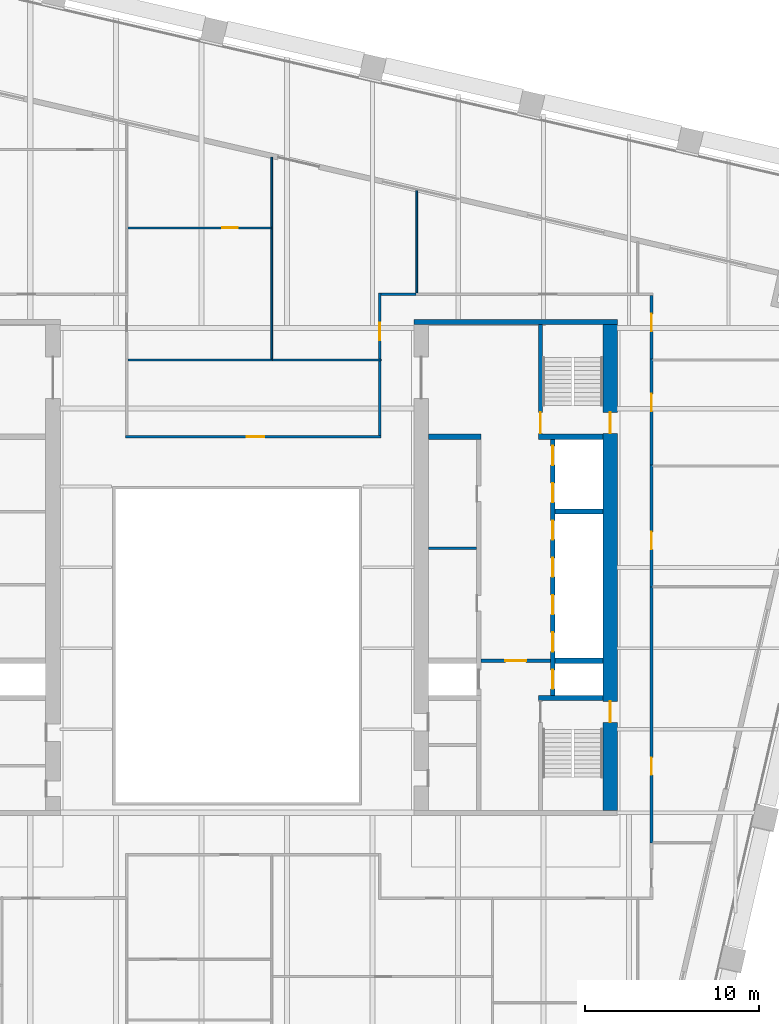
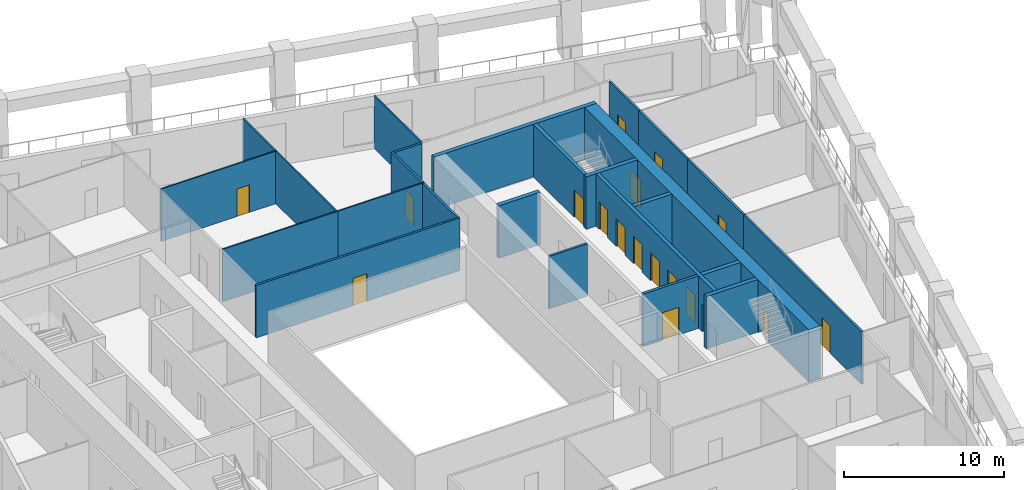
# One storey, part 8 of 12: 25 walls, 18 doors, 18 openings.
"""IFC4 building model written with IfcOpenShell, lengths in metres."""

from ifc_helpers import new_model, si_unit, direction, frame, frame_2d, origin, place, context, subcontext, project, spatial, rectangle, extrude, material, layer, layer_set, type_object, element, fill, save


model = new_model("IFC4")

# Units and contexts
model_context = context("Model", 3, precision=1e-05, world=origin(), true_north=direction((0.0, 1.0)))
body_context = subcontext(model_context, "Body", "Model", "MODEL_VIEW")
ifc_project = project(units=[si_unit("LENGTHUNIT", "METRE"), si_unit("AREAUNIT", "SQUARE_METRE"), si_unit("VOLUMEUNIT", "CUBIC_METRE"), si_unit("PLANEANGLEUNIT", "RADIAN"), si_unit("MASSUNIT", "GRAM", prefix="KILO")], contexts=[model_context])

# Site, building, storey
site_placement = place(None, origin())
site = spatial("IfcSite", under=ifc_project, at=site_placement, CompositionType="ELEMENT")
building_placement = place(site_placement, origin())
building = spatial("IfcBuilding", under=site, at=building_placement, Name="Ogive Exchange Tower", CompositionType="ELEMENT")
storey_placement = place(building_placement, frame((0.0, 0.0, 139.199951171875)))
storey = spatial("IfcBuildingStorey", under=building, at=storey_placement, Name="L30", CompositionType="ELEMENT", Elevation=139.199951171875)

# Walls
ifc_material_1 = material(Name="Gypsum board partition")
ifc_layer_1 = layer(ifc_material_1, 0.14990234375)
ifc_layer_set_1 = layer_set([ifc_layer_1], Name="Core room partition 150 gypsum")
wall_type_1 = type_object("IfcWallType", Name="Core room partition 150 gypsum", PredefinedType="PARTITIONING", material=ifc_layer_set_1)
wall_1_placement = place(storey_placement, frame((11.0, 12.60009765625, 0.0), z_axis=(0.0, 0.0, 1.0), x_axis=(1.0, 0.0, 0.0)))
element("IfcWall", 1, at=wall_1_placement, inside=storey, type_object=wall_type_1, Name="E row B bay partition 1-1", PredefinedType="PARTITIONING", context=body_context, shape_type="SweptSolid", body=[
    extrude(rectangle(XDim=2.75, YDim=0.14990234375, at=frame_2d((1.375, 0.0))), origin(), (0.0, 0.0, 1.0), 4.0),
])
ifc_layer_2 = layer(ifc_material_1, 0.300048828125)
ifc_layer_set_2 = layer_set([ifc_layer_2], Name="Core room partition 300 gypsum")
wall_type_2 = type_object("IfcWallType", Name="Core room partition 300 gypsum", PredefinedType="PARTITIONING", material=ifc_layer_set_2)
wall_2_placement = place(storey_placement, frame((11.0, 19.0, 0.0), z_axis=(0.0, 0.0, 1.0), x_axis=(1.0, 0.0, 0.0)))
element("IfcWall", 2, at=wall_2_placement, inside=storey, type_object=wall_type_2, Name="E row B room end wall 7", PredefinedType="PARTITIONING", context=body_context, shape_type="SweptSolid", body=[
    extrude(rectangle(XDim=3.0, YDim=0.300048828125, at=frame_2d((1.5, 0.0))), origin(), (0.0, 0.0, 1.0), 4.0),
])

# Wall, opening, door
ifc_material_2 = material(Name="Fire partition EI 60 150")
ifc_layer_3 = layer(ifc_material_2, 0.14990234375)
ifc_layer_set_3 = layer_set([ifc_layer_3], Name="Fire partition EI 60 150")
wall_type_3 = type_object("IfcWallType", Name="Fire partition EI 60 150", PredefinedType="PARTITIONING", material=ifc_layer_set_3)
wall_3_placement = place(storey_placement, frame((-6.4150390625, 19.0, 0.0), z_axis=(0.0, 0.0, 1.0), x_axis=(1.0, 0.0, 0.0)))
wall_3 = element("IfcWall", 3, at=wall_3_placement, inside=storey, type_object=wall_type_3, Name="L30-PWL-043", PredefinedType="PARTITIONING", context=body_context, shape_type="SweptSolid", body=[
    extrude(rectangle(XDim=14.68994140625, YDim=0.14990234375, at=frame_2d((7.344970703125, 0.0))), origin(), (0.0, 0.0, 1.0), 4.0),
])
opening_1_placement = place(wall_3_placement, frame((6.965087890625, 0.0, 0.0)))
opening_1 = element("IfcOpeningElement", 4, at=opening_1_placement, cuts=wall_3, Name="Opening L30-I10", PredefinedType="OPENING", context=body_context, shape_type="SweptSolid", body=[
    extrude(rectangle(XDim=1.0, YDim=2.10009765625, at=frame_2d((0.5, 1.050048828125))), frame((0.0, 0.0849609375, 0.0), z_axis=(0.0, -1.0, 0.0), x_axis=(1.0, 0.0, 0.0)), (0.0, 0.0, 1.0), 0.169921875),
])
ifc_material_3 = material(Name="Fire door FD 30S 1000 x 2100")
door_type_1 = type_object("IfcDoorType", Name="Fire door FD 30S 1000 x 2100", OperationType="NOTDEFINED", PredefinedType="DOOR", material=ifc_material_3)
door_1_placement = place(opening_1_placement, origin())
door_1 = element("IfcDoor", 5, at=door_1_placement, inside=storey, type_object=door_type_1, Name="L30-IDR-010", ObjectType="DT3", OperationType="SINGLE_SWING_RIGHT", OverallHeight=2.10009765625, OverallWidth=1.0, PredefinedType="DOOR", context=body_context, shape_type="SweptSolid", body=[
    extrude(rectangle(XDim=1.0, YDim=2.10009765625, at=frame_2d((0.5, 1.050048828125))), frame((0.0, 0.02490234375, 0.0), z_axis=(0.0, -1.0, 0.0), x_axis=(1.0, 0.0, 0.0)), (0.0, 0.0, 1.0), 0.050048828125),
])
fill(opening_1, door_1)

# Wall
wall_4_placement = place(storey_placement, frame((8.199951171875, 19.074951171875, 0.0), z_axis=(0.0, 0.0, 1.0), x_axis=(0.0, 1.0, 0.0)))
element("IfcWall", 6, at=wall_4_placement, inside=storey, type_object=wall_type_3, Name="L30-PWL-063", PredefinedType="PARTITIONING", context=body_context, shape_type="SweptSolid", body=[
    extrude(rectangle(XDim=4.28515625, YDim=0.14990234375, at=frame_2d((2.142578125, 0.0))), origin(), (0.0, 0.0, 1.0), 4.0),
])

# Wall, opening, door
wall_5_placement = place(storey_placement, frame((8.199951171875, 23.4599609375, 0.0), z_axis=(0.0, 0.0, 1.0), x_axis=(0.0, 1.0, 0.0)))
wall_5 = element("IfcWall", 7, at=wall_5_placement, inside=storey, type_object=wall_type_3, Name="L30-PWL-064", PredefinedType="PARTITIONING", context=body_context, shape_type="SweptSolid", body=[
    extrude(rectangle(XDim=3.81494140625, YDim=0.14990234375, at=frame_2d((1.907470703125, 0.0))), origin(), (0.0, 0.0, 1.0), 4.0),
])
opening_2_placement = place(wall_5_placement, frame((1.090087890625, 0.0, 0.0)))
opening_2 = element("IfcOpeningElement", 8, at=opening_2_placement, cuts=wall_5, Name="Opening L30-I15", PredefinedType="OPENING", context=body_context, shape_type="SweptSolid", body=[
    extrude(rectangle(XDim=1.0, YDim=2.10009765625, at=frame_2d((0.5, 1.050048828125))), frame((0.0, 0.0849609375, 0.0), z_axis=(0.0, -1.0, 0.0), x_axis=(1.0, 0.0, 0.0)), (0.0, 0.0, 1.0), 0.169921875),
])
door_2_placement = place(opening_2_placement, origin())
door_2 = element("IfcDoor", 9, at=door_2_placement, inside=storey, type_object=door_type_1, Name="L30-IDR-015", ObjectType="DT3", OperationType="SINGLE_SWING_RIGHT", OverallHeight=2.10009765625, OverallWidth=1.0, PredefinedType="DOOR", context=body_context, shape_type="SweptSolid", body=[
    extrude(rectangle(XDim=1.0, YDim=2.10009765625, at=frame_2d((0.5, 1.050048828125))), frame((0.0, 0.02490234375, 0.0), z_axis=(0.0, -1.0, 0.0), x_axis=(1.0, 0.0, 0.0)), (0.0, 0.0, 1.0), 0.050048828125),
])
fill(opening_2, door_2)

# Wall
wall_6_placement = place(storey_placement, frame((8.27490234375, 27.199951171875, 0.0), z_axis=(0.0, 0.0, 1.0), x_axis=(1.0, 0.0, 0.0)))
element("IfcWall", 10, at=wall_6_placement, inside=storey, type_object=wall_type_3, Name="L30-PWL-065", PredefinedType="PARTITIONING", context=body_context, shape_type="SweptSolid", body=[
    extrude(rectangle(XDim=1.9951171875, YDim=0.14990234375, at=frame_2d((0.99755859375, 0.0))), origin(), (0.0, 0.0, 1.0), 4.0),
])

# Wall, opening, door
wall_7_placement = place(storey_placement, frame((23.800048828125, 10.43994140625, 0.0), z_axis=(0.0, 0.0, 1.0), x_axis=(0.0, -1.0, 0.0)))
wall_7 = element("IfcWall", 11, at=wall_7_placement, inside=storey, type_object=wall_type_3, Name="L30-PWL-083", PredefinedType="PARTITIONING", context=body_context, shape_type="SweptSolid", body=[
    extrude(rectangle(XDim=14.760009765625, YDim=0.14990234375, at=frame_2d((7.3798828125, 0.0))), origin(), (0.0, 0.0, 1.0), 4.0),
])
opening_3_placement = place(wall_7_placement, frame((9.860107421875, 0.0, 0.0)))
opening_3 = element("IfcOpeningElement", 12, at=opening_3_placement, cuts=wall_7, Name="Opening L30-I09", PredefinedType="OPENING", context=body_context, shape_type="SweptSolid", body=[
    extrude(rectangle(XDim=1.0, YDim=2.10009765625, at=frame_2d((0.5, 1.050048828125))), frame((0.0, 0.0849609375, 0.0), z_axis=(0.0, -1.0, 0.0), x_axis=(1.0, 0.0, 0.0)), (0.0, 0.0, 1.0), 0.169921875),
])
door_3_placement = place(opening_3_placement, origin())
door_3 = element("IfcDoor", 13, at=door_3_placement, inside=storey, type_object=door_type_1, Name="L30-IDR-009", ObjectType="DT3", OperationType="SINGLE_SWING_LEFT", OverallHeight=2.10009765625, OverallWidth=1.0, PredefinedType="DOOR", context=body_context, shape_type="SweptSolid", body=[
    extrude(rectangle(XDim=1.0, YDim=2.10009765625, at=frame_2d((0.5, 1.050048828125))), frame((0.0, 0.02490234375, 0.0), z_axis=(0.0, -1.0, 0.0), x_axis=(1.0, 0.0, 0.0)), (0.0, 0.0, 1.0), 0.050048828125),
])
fill(opening_3, door_3)

wall_8_placement = place(storey_placement, frame((23.800048828125, 17.3701171875, 0.0), z_axis=(0.0, 0.0, 1.0), x_axis=(0.0, -1.0, 0.0)))
wall_8 = element("IfcWall", 14, at=wall_8_placement, inside=storey, type_object=wall_type_3, Name="L30-PWL-085", PredefinedType="PARTITIONING", context=body_context, shape_type="SweptSolid", body=[
    extrude(rectangle(XDim=6.980224609375, YDim=0.14990234375, at=frame_2d((3.490234375, 0.0))), origin(), (0.0, 0.0, 1.0), 4.0),
])
opening_4_placement = place(wall_8_placement, frame((3.830078125, 0.0, 0.0)))
opening_4 = element("IfcOpeningElement", 15, at=opening_4_placement, cuts=wall_8, Name="Opening L30-I11", PredefinedType="OPENING", context=body_context, shape_type="SweptSolid", body=[
    extrude(rectangle(XDim=1.0, YDim=2.10009765625, at=frame_2d((0.5, 1.050048828125))), frame((0.0, 0.0849609375, 0.0), z_axis=(0.0, -1.0, 0.0), x_axis=(1.0, 0.0, 0.0)), (0.0, 0.0, 1.0), 0.169921875),
])
door_4_placement = place(opening_4_placement, origin())
door_4 = element("IfcDoor", 16, at=door_4_placement, inside=storey, type_object=door_type_1, Name="L30-IDR-011", ObjectType="DT3", OperationType="SINGLE_SWING_LEFT", OverallHeight=2.10009765625, OverallWidth=1.0, PredefinedType="DOOR", context=body_context, shape_type="SweptSolid", body=[
    extrude(rectangle(XDim=1.0, YDim=2.10009765625, at=frame_2d((0.5, 1.050048828125))), frame((0.0, 0.02490234375, 0.0), z_axis=(0.0, -1.0, 0.0), x_axis=(1.0, 0.0, 0.0)), (0.0, 0.0, 1.0), 0.050048828125),
])
fill(opening_4, door_4)

wall_9_placement = place(storey_placement, frame((23.800048828125, 23.4599609375, 0.0), z_axis=(0.0, 0.0, 1.0), x_axis=(0.0, -1.0, 0.0)))
wall_9 = element("IfcWall", 17, at=wall_9_placement, inside=storey, type_object=wall_type_3, Name="L30-PWL-087", PredefinedType="PARTITIONING", context=body_context, shape_type="SweptSolid", body=[
    extrude(rectangle(XDim=6.08984375, YDim=0.14990234375, at=frame_2d((3.044921875, 0.0))), origin(), (0.0, 0.0, 1.0), 4.0),
])
opening_5_placement = place(wall_9_placement, frame((1.989990234375, 0.0, 0.0)))
opening_5 = element("IfcOpeningElement", 18, at=opening_5_placement, cuts=wall_9, Name="Opening L30-I12", PredefinedType="OPENING", context=body_context, shape_type="SweptSolid", body=[
    extrude(rectangle(XDim=1.0, YDim=2.10009765625, at=frame_2d((0.5, 1.050048828125))), frame((0.0, 0.0849609375, 0.0), z_axis=(0.0, -1.0, 0.0), x_axis=(1.0, 0.0, 0.0)), (0.0, 0.0, 1.0), 0.169921875),
])
door_5_placement = place(opening_5_placement, origin())
door_5 = element("IfcDoor", 19, at=door_5_placement, inside=storey, type_object=door_type_1, Name="L30-IDR-012", ObjectType="DT3", OperationType="SINGLE_SWING_RIGHT", OverallHeight=2.10009765625, OverallWidth=1.0, PredefinedType="DOOR", context=body_context, shape_type="SweptSolid", body=[
    extrude(rectangle(XDim=1.0, YDim=2.10009765625, at=frame_2d((0.5, 1.050048828125))), frame((0.0, 0.02490234375, 0.0), z_axis=(0.0, -1.0, 0.0), x_axis=(1.0, 0.0, 0.0)), (0.0, 0.0, 1.0), 0.050048828125),
])
fill(opening_5, door_5)

wall_10_placement = place(storey_placement, frame((23.800048828125, 27.125, 0.0), z_axis=(0.0, 0.0, 1.0), x_axis=(0.0, -1.0, 0.0)))
wall_10 = element("IfcWall", 20, at=wall_10_placement, inside=storey, type_object=wall_type_3, Name="L30-PWL-089", PredefinedType="PARTITIONING", context=body_context, shape_type="SweptSolid", body=[
    extrude(rectangle(XDim=3.6650390625, YDim=0.14990234375, at=frame_2d((1.83251953125, 0.0))), origin(), (0.0, 0.0, 1.0), 4.0),
])
opening_6_placement = place(wall_10_placement, frame((1.06494140625, 0.0, 0.0)))
opening_6 = element("IfcOpeningElement", 21, at=opening_6_placement, cuts=wall_10, Name="Opening L30-I17", PredefinedType="OPENING", context=body_context, shape_type="SweptSolid", body=[
    extrude(rectangle(XDim=1.0, YDim=2.10009765625, at=frame_2d((0.5, 1.050048828125))), frame((0.0, 0.0849609375, 0.0), z_axis=(0.0, -1.0, 0.0), x_axis=(1.0, 0.0, 0.0)), (0.0, 0.0, 1.0), 0.169921875),
])
door_6_placement = place(opening_6_placement, origin())
door_6 = element("IfcDoor", 22, at=door_6_placement, inside=storey, type_object=door_type_1, Name="L30-IDR-017", ObjectType="DT3", OperationType="SINGLE_SWING_LEFT", OverallHeight=2.10009765625, OverallWidth=1.0, PredefinedType="DOOR", context=body_context, shape_type="SweptSolid", body=[
    extrude(rectangle(XDim=1.0, YDim=2.10009765625, at=frame_2d((0.5, 1.050048828125))), frame((0.0, 0.02490234375, 0.0), z_axis=(0.0, -1.0, 0.0), x_axis=(1.0, 0.0, 0.0)), (0.0, 0.0, 1.0), 0.050048828125),
])
fill(opening_6, door_6)

# Walls
ifc_material_4 = material(Name="Partition 100 gypsum")
ifc_layer_4 = layer(ifc_material_4, 0.10009765625)
ifc_layer_set_4 = layer_set([ifc_layer_4], Name="Partition 100 gypsum")
wall_type_4 = type_object("IfcWallType", Name="Partition 100 gypsum", PredefinedType="PARTITIONING", material=ifc_layer_set_4)
wall_11_placement = place(storey_placement, frame((-6.264892578125, 23.409912109375, 0.0), z_axis=(0.0, 0.0, 1.0), x_axis=(1.0, 0.0, 0.0)))
element("IfcWall", 23, at=wall_11_placement, inside=storey, type_object=wall_type_4, Name="L30-PWL-045", PredefinedType="PARTITIONING", context=body_context, shape_type="SweptSolid", body=[
    extrude(rectangle(XDim=8.304931640625, YDim=0.10009765625, at=frame_2d((4.15234375, 0.0))), origin(), (0.0, 0.0, 1.0), 4.0),
])
wall_12_placement = place(storey_placement, frame((2.0400390625, 23.409912109375, 0.0), z_axis=(0.0, 0.0, 1.0), x_axis=(1.0, 0.0, 0.0)))
element("IfcWall", 24, at=wall_12_placement, inside=storey, type_object=wall_type_4, Name="L30-PWL-057", PredefinedType="PARTITIONING", context=body_context, shape_type="SweptSolid", body=[
    extrude(rectangle(XDim=6.23486328125, YDim=0.10009765625, at=frame_2d((3.117431640625, 0.0))), origin(), (0.0, 0.0, 1.0), 4.0),
])

# Wall, opening, door
wall_13_placement = place(storey_placement, frame((2.0400390625, 31.0, 0.0), z_axis=(0.0, 0.0, 1.0), x_axis=(-1.0, 0.0, 0.0)))
wall_13 = element("IfcWall", 25, at=wall_13_placement, inside=storey, type_object=wall_type_4, Name="L30-PWL-058", PredefinedType="PARTITIONING", context=body_context, shape_type="SweptSolid", body=[
    extrude(rectangle(XDim=8.330078125, YDim=0.10009765625, at=frame_2d((4.1650390625, 0.0))), origin(), (0.0, 0.0, 1.0), 4.0),
])
opening_7_placement = place(wall_13_placement, frame((2.0, 0.0, 0.0)))
opening_7 = element("IfcOpeningElement", 26, at=opening_7_placement, cuts=wall_13, Name="Opening L30-I13", PredefinedType="OPENING", context=body_context, shape_type="SweptSolid", body=[
    extrude(rectangle(XDim=0.89990234375, YDim=2.10009765625, at=frame_2d((0.449951171875, 1.050048828125))), frame((0.0, 0.06005859375, 0.0), z_axis=(0.0, -1.0, 0.0), x_axis=(1.0, 0.0, 0.0)), (0.0, 0.0, 1.0), 0.1201171875),
])
ifc_material_5 = material(Name="Door 900 x 2100")
door_type_2 = type_object("IfcDoorType", Name="Door 900 x 2100", OperationType="NOTDEFINED", PredefinedType="DOOR", material=ifc_material_5)
door_7_placement = place(opening_7_placement, frame((0.89990234375, 0.0, 0.0), z_axis=(0.0, 0.0, 1.0), x_axis=(-1.0, 0.0, 0.0)))
door_7 = element("IfcDoor", 27, at=door_7_placement, inside=storey, type_object=door_type_2, Name="L30-IDR-013", ObjectType="DT1", OperationType="SINGLE_SWING_LEFT", OverallHeight=2.10009765625, OverallWidth=0.89990234375, PredefinedType="DOOR", context=body_context, shape_type="SweptSolid", body=[
    extrude(rectangle(XDim=0.89990234375, YDim=2.10009765625, at=frame_2d((0.449951171875, 1.050048828125))), frame((0.0, 0.02490234375, 0.0), z_axis=(0.0, -1.0, 0.0), x_axis=(1.0, 0.0, 0.0)), (0.0, 0.0, 1.0), 0.050048828125),
])
fill(opening_7, door_7)

# Walls
wall_14_placement = place(storey_placement, frame((1.989990234375, 30.949951171875, 0.0), z_axis=(0.0, 0.0, 1.0), x_axis=(0.0, -1.0, 0.0)))
element("IfcWall", 28, at=wall_14_placement, inside=storey, type_object=wall_type_4, Name="L30-PWL-059", PredefinedType="PARTITIONING", context=body_context, shape_type="SweptSolid", body=[
    extrude(rectangle(XDim=7.489990234375, YDim=0.10009765625, at=frame_2d((3.7451171875, 0.0))), origin(), (0.0, 0.0, 1.0), 4.0),
])
wall_15_placement = place(storey_placement, frame((1.989990234375, 35.06494140625, 0.0), z_axis=(0.0, 0.0, 1.0), x_axis=(0.0, -1.0, 0.0)))
element("IfcWall", 29, at=wall_15_placement, inside=storey, type_object=wall_type_4, Name="L30-PWL-060", PredefinedType="PARTITIONING", context=body_context, shape_type="SweptSolid", body=[
    extrude(rectangle(XDim=4.014892578125, YDim=0.10009765625, at=frame_2d((2.00732421875, 0.0))), origin(), (0.0, 0.0, 1.0), 4.0),
])
wall_16_placement = place(storey_placement, frame((10.320068359375, 33.14208984375, 0.0), z_axis=(0.0, 0.0, 1.0), x_axis=(0.0, -1.0, 0.0)))
element("IfcWall", 30, at=wall_16_placement, inside=storey, type_object=wall_type_4, Name="L30-PWL-067", PredefinedType="PARTITIONING", context=body_context, shape_type="SweptSolid", body=[
    extrude(rectangle(XDim=5.8671875, YDim=0.10009765625, at=frame_2d((2.93359375, 0.0))), origin(), (0.0, 0.0, 1.0), 4.0),
])

# Wall, opening, door
ifc_material_6 = material(Name="Concrete C70/85", Category="concrete")
ifc_layer_5 = layer(ifc_material_6, 0.199951171875)
ifc_layer_set_5 = layer_set([ifc_layer_5], Name="RC core wall 200 C70/85")
wall_type_5 = type_object("IfcWallType", Name="RC core wall 200 C70/85", PredefinedType="SHEAR", material=ifc_layer_set_5)
wall_17_placement = place(storey_placement, frame((14.0, 6.142822265625, 0.0), z_axis=(0.0, 0.0, 1.0), x_axis=(1.0, 0.0, 0.0)))
wall_17 = element("IfcWall", 31, at=wall_17_placement, inside=storey, type_object=wall_type_5, Name="E firefighting lobby wall", PredefinedType="SHEAR", context=body_context, shape_type="SweptSolid", body=[
    extrude(rectangle(XDim=4.0, YDim=0.199951171875, at=frame_2d((2.0, 0.0))), origin(), (0.0, 0.0, 1.0), 4.0),
])
opening_8_placement = place(wall_17_placement, frame((1.39990234375, 0.0, 0.0)))
opening_8 = element("IfcOpeningElement", 32, at=opening_8_placement, cuts=wall_17, Name="Opening L30-C30", PredefinedType="OPENING", context=body_context, shape_type="SweptSolid", body=[
    extrude(rectangle(XDim=1.199951171875, YDim=2.10009765625, at=frame_2d((0.60009765625, 1.050048828125))), frame((0.0, 0.10986328125, 0.0), z_axis=(0.0, -1.0, 0.0), x_axis=(1.0, 0.0, 0.0)), (0.0, 0.0, 1.0), 0.219970703125),
])
ifc_material_7 = material(Name="Steel fire door", Category="steel")
door_type_3 = type_object("IfcDoorType", Name="Firefighting lobby door FD60 1200 x 2100", OperationType="NOTDEFINED", PredefinedType="DOOR", material=ifc_material_7)
door_8_placement = place(opening_8_placement, frame((1.199951171875, 0.0, 0.0), z_axis=(0.0, 0.0, 1.0), x_axis=(-1.0, 0.0, 0.0)))
door_8 = element("IfcDoor", 33, at=door_8_placement, inside=storey, type_object=door_type_3, Name="Firefighting lobby door", ObjectType="CD3", OperationType="SINGLE_SWING_LEFT", OverallHeight=2.10009765625, OverallWidth=1.199951171875, PredefinedType="DOOR", context=body_context, shape_type="SweptSolid", body=[
    extrude(rectangle(XDim=1.199951171875, YDim=2.10009765625, at=frame_2d((0.60009765625, 1.050048828125))), frame((0.0, 0.02490234375, 0.0), z_axis=(0.0, -1.0, 0.0), x_axis=(1.0, 0.0, 0.0)), (0.0, 0.0, 1.0), 0.050048828125),
])
fill(opening_8, door_8)

ifc_layer_6 = layer(ifc_material_6, 0.25)
ifc_layer_set_6 = layer_set([ifc_layer_6], Name="RC core wall 250 C70/85")
wall_type_6 = type_object("IfcWallType", Name="RC core wall 250 C70/85", PredefinedType="SHEAR", material=ifc_layer_set_6)
wall_18_placement = place(storey_placement, frame((17.425048828125, 19.14990234375, 0.0), z_axis=(0.0, 0.0, 1.0), x_axis=(0.0, 1.0, 0.0)))
wall_18 = element("IfcWall", 34, at=wall_18_placement, inside=storey, type_object=wall_type_6, Name="E stair N front wall", PredefinedType="SHEAR", context=body_context, shape_type="SweptSolid", body=[
    extrude(rectangle(XDim=6.300048828125, YDim=0.25, at=frame_2d((3.14990234375, 0.0))), origin(), (0.0, 0.0, 1.0), 4.0),
])
opening_9_placement = place(wall_18_placement, frame((0.050048828125, 0.0, 0.0)))
opening_9 = element("IfcOpeningElement", 35, at=opening_9_placement, cuts=wall_18, Name="Opening L30-C34", PredefinedType="OPENING", context=body_context, shape_type="SweptSolid", body=[
    extrude(rectangle(XDim=1.199951171875, YDim=2.10009765625, at=frame_2d((0.60009765625, 1.050048828125))), frame((0.0, 0.135009765625, 0.0), z_axis=(0.0, -1.0, 0.0), x_axis=(1.0, 0.0, 0.0)), (0.0, 0.0, 1.0), 0.27001953125),
])
door_type_4 = type_object("IfcDoorType", Name="Stair door FD90 1200 x 2100", OperationType="NOTDEFINED", PredefinedType="DOOR", material=ifc_material_7)
door_9_placement = place(opening_9_placement, frame((1.199951171875, 0.0, 0.0), z_axis=(0.0, 0.0, 1.0), x_axis=(-1.0, 0.0, 0.0)))
door_9 = element("IfcDoor", 36, at=door_9_placement, inside=storey, type_object=door_type_4, Name="Stair door", ObjectType="CD5", OperationType="SINGLE_SWING_LEFT", OverallHeight=2.10009765625, OverallWidth=1.199951171875, PredefinedType="DOOR", context=body_context, shape_type="SweptSolid", body=[
    extrude(rectangle(XDim=1.199951171875, YDim=2.10009765625, at=frame_2d((0.60009765625, 1.050048828125))), frame((0.0, 0.02490234375, 0.0), z_axis=(0.0, -1.0, 0.0), x_axis=(1.0, 0.0, 0.0)), (0.0, 0.0, 1.0), 0.050048828125),
])
fill(opening_9, door_9)

# Wall, openings, doors
wall_19_placement = place(storey_placement, frame((18.125, 4.14990234375, 0.0), z_axis=(0.0, 0.0, 1.0), x_axis=(0.0, 1.0, 0.0)))
wall_19 = element("IfcWall", 37, at=wall_19_placement, inside=storey, type_object=wall_type_6, Name="E row A front wall", PredefinedType="SHEAR", context=body_context, shape_type="SweptSolid", body=[
    extrude(rectangle(XDim=14.7001953125, YDim=0.25, at=frame_2d((7.35009765625, 0.0))), origin(), (0.0, 0.0, 1.0), 4.0),
])
opening_10_placement = place(wall_19_placement, frame((0.371337890625, 0.0, 0.0)))
opening_10 = element("IfcOpeningElement", 38, at=opening_10_placement, cuts=wall_19, Name="Opening L30-C20", PredefinedType="OPENING", context=body_context, shape_type="SweptSolid", body=[
    extrude(rectangle(XDim=1.10009765625, YDim=2.10009765625, at=frame_2d((0.550048828125, 1.050048828125))), frame((0.0, 0.135009765625, 0.0), z_axis=(0.0, -1.0, 0.0), x_axis=(1.0, 0.0, 0.0)), (0.0, 0.0, 1.0), 0.27001953125),
])
opening_11_placement = place(wall_19_placement, frame((2.514404296875, 0.0, 0.0)))
opening_11 = element("IfcOpeningElement", 39, at=opening_11_placement, cuts=wall_19, Name="Opening L30-C21", PredefinedType="OPENING", context=body_context, shape_type="SweptSolid", body=[
    extrude(rectangle(XDim=1.10009765625, YDim=2.10009765625, at=frame_2d((0.550048828125, 1.050048828125))), frame((0.0, 0.135009765625, 0.0), z_axis=(0.0, -1.0, 0.0), x_axis=(1.0, 0.0, 0.0)), (0.0, 0.0, 1.0), 0.27001953125),
])
opening_12_placement = place(wall_19_placement, frame((4.656982421875, 0.0, 0.0)))
opening_12 = element("IfcOpeningElement", 40, at=opening_12_placement, cuts=wall_19, Name="Opening L30-C22", PredefinedType="OPENING", context=body_context, shape_type="SweptSolid", body=[
    extrude(rectangle(XDim=1.10009765625, YDim=2.10009765625, at=frame_2d((0.550048828125, 1.050048828125))), frame((0.0, 0.135009765625, 0.0), z_axis=(0.0, -1.0, 0.0), x_axis=(1.0, 0.0, 0.0)), (0.0, 0.0, 1.0), 0.27001953125),
])
opening_13_placement = place(wall_19_placement, frame((6.800048828125, 0.0, 0.0)))
opening_13 = element("IfcOpeningElement", 41, at=opening_13_placement, cuts=wall_19, Name="Opening L30-C23", PredefinedType="OPENING", context=body_context, shape_type="SweptSolid", body=[
    extrude(rectangle(XDim=1.10009765625, YDim=2.10009765625, at=frame_2d((0.550048828125, 1.050048828125))), frame((0.0, 0.135009765625, 0.0), z_axis=(0.0, -1.0, 0.0), x_axis=(1.0, 0.0, 0.0)), (0.0, 0.0, 1.0), 0.27001953125),
])
opening_14_placement = place(wall_19_placement, frame((8.94287109375, 0.0, 0.0)))
opening_14 = element("IfcOpeningElement", 42, at=opening_14_placement, cuts=wall_19, Name="Opening L30-C24", PredefinedType="OPENING", context=body_context, shape_type="SweptSolid", body=[
    extrude(rectangle(XDim=1.10009765625, YDim=2.10009765625, at=frame_2d((0.550048828125, 1.050048828125))), frame((0.0, 0.135009765625, 0.0), z_axis=(0.0, -1.0, 0.0), x_axis=(1.0, 0.0, 0.0)), (0.0, 0.0, 1.0), 0.27001953125),
])
opening_15_placement = place(wall_19_placement, frame((11.085693359375, 0.0, 0.0)))
opening_15 = element("IfcOpeningElement", 43, at=opening_15_placement, cuts=wall_19, Name="Opening L30-C25", PredefinedType="OPENING", context=body_context, shape_type="SweptSolid", body=[
    extrude(rectangle(XDim=1.10009765625, YDim=2.10009765625, at=frame_2d((0.550048828125, 1.050048828125))), frame((0.0, 0.135009765625, 0.0), z_axis=(0.0, -1.0, 0.0), x_axis=(1.0, 0.0, 0.0)), (0.0, 0.0, 1.0), 0.27001953125),
])
opening_16_placement = place(wall_19_placement, frame((13.228515625, 0.0, 0.0)))
opening_16 = element("IfcOpeningElement", 44, at=opening_16_placement, cuts=wall_19, Name="Opening L30-C26", PredefinedType="OPENING", context=body_context, shape_type="SweptSolid", body=[
    extrude(rectangle(XDim=1.10009765625, YDim=2.10009765625, at=frame_2d((0.550048828125, 1.050048828125))), frame((0.0, 0.135009765625, 0.0), z_axis=(0.0, -1.0, 0.0), x_axis=(1.0, 0.0, 0.0)), (0.0, 0.0, 1.0), 0.27001953125),
])
ifc_material_8 = material(Name="Stainless steel", Category="steel")
door_type_5 = type_object("IfcDoorType", Name="Lift landing door FD90 1100 x 2100", OperationType="SLIDING_TO_LEFT", PredefinedType="DOOR", material=ifc_material_8)
door_10_placement = place(opening_10_placement, origin())
door_10 = element("IfcDoor", 45, at=door_10_placement, inside=storey, type_object=door_type_5, Name="Lift landing door FF2", ObjectType="LD", OperationType="SLIDING_TO_LEFT", OverallHeight=2.10009765625, OverallWidth=1.10009765625, PredefinedType="DOOR", context=body_context, shape_type="SweptSolid", body=[
    extrude(rectangle(XDim=1.10009765625, YDim=2.10009765625, at=frame_2d((0.550048828125, 1.050048828125))), frame((0.0, 0.02490234375, 0.0), z_axis=(0.0, -1.0, 0.0), x_axis=(1.0, 0.0, 0.0)), (0.0, 0.0, 1.0), 0.050048828125),
])
fill(opening_10, door_10)
door_11_placement = place(opening_11_placement, origin())
door_11 = element("IfcDoor", 46, at=door_11_placement, inside=storey, type_object=door_type_5, Name="Lift landing door E-L1", ObjectType="LD", OperationType="SLIDING_TO_LEFT", OverallHeight=2.10009765625, OverallWidth=1.10009765625, PredefinedType="DOOR", context=body_context, shape_type="SweptSolid", body=[
    extrude(rectangle(XDim=1.10009765625, YDim=2.10009765625, at=frame_2d((0.550048828125, 1.050048828125))), frame((0.0, 0.02490234375, 0.0), z_axis=(0.0, -1.0, 0.0), x_axis=(1.0, 0.0, 0.0)), (0.0, 0.0, 1.0), 0.050048828125),
])
fill(opening_11, door_11)
door_12_placement = place(opening_12_placement, origin())
door_12 = element("IfcDoor", 47, at=door_12_placement, inside=storey, type_object=door_type_5, Name="Lift landing door E-L2", ObjectType="LD", OperationType="SLIDING_TO_LEFT", OverallHeight=2.10009765625, OverallWidth=1.10009765625, PredefinedType="DOOR", context=body_context, shape_type="SweptSolid", body=[
    extrude(rectangle(XDim=1.10009765625, YDim=2.10009765625, at=frame_2d((0.550048828125, 1.050048828125))), frame((0.0, 0.02490234375, 0.0), z_axis=(0.0, -1.0, 0.0), x_axis=(1.0, 0.0, 0.0)), (0.0, 0.0, 1.0), 0.050048828125),
])
fill(opening_12, door_12)
door_13_placement = place(opening_13_placement, origin())
door_13 = element("IfcDoor", 48, at=door_13_placement, inside=storey, type_object=door_type_5, Name="Lift landing door E-L3", ObjectType="LD", OperationType="SLIDING_TO_LEFT", OverallHeight=2.10009765625, OverallWidth=1.10009765625, PredefinedType="DOOR", context=body_context, shape_type="SweptSolid", body=[
    extrude(rectangle(XDim=1.10009765625, YDim=2.10009765625, at=frame_2d((0.550048828125, 1.050048828125))), frame((0.0, 0.02490234375, 0.0), z_axis=(0.0, -1.0, 0.0), x_axis=(1.0, 0.0, 0.0)), (0.0, 0.0, 1.0), 0.050048828125),
])
fill(opening_13, door_13)
door_14_placement = place(opening_14_placement, origin())
door_14 = element("IfcDoor", 49, at=door_14_placement, inside=storey, type_object=door_type_5, Name="Lift landing door E-L4", ObjectType="LD", OperationType="SLIDING_TO_LEFT", OverallHeight=2.10009765625, OverallWidth=1.10009765625, PredefinedType="DOOR", context=body_context, shape_type="SweptSolid", body=[
    extrude(rectangle(XDim=1.10009765625, YDim=2.10009765625, at=frame_2d((0.550048828125, 1.050048828125))), frame((0.0, 0.02490234375, 0.0), z_axis=(0.0, -1.0, 0.0), x_axis=(1.0, 0.0, 0.0)), (0.0, 0.0, 1.0), 0.050048828125),
])
fill(opening_14, door_14)
door_15_placement = place(opening_15_placement, origin())
door_15 = element("IfcDoor", 50, at=door_15_placement, inside=storey, type_object=door_type_5, Name="Lift landing door E-SH1", ObjectType="LD", OperationType="SLIDING_TO_LEFT", OverallHeight=2.10009765625, OverallWidth=1.10009765625, PredefinedType="DOOR", context=body_context, shape_type="SweptSolid", body=[
    extrude(rectangle(XDim=1.10009765625, YDim=2.10009765625, at=frame_2d((0.550048828125, 1.050048828125))), frame((0.0, 0.02490234375, 0.0), z_axis=(0.0, -1.0, 0.0), x_axis=(1.0, 0.0, 0.0)), (0.0, 0.0, 1.0), 0.050048828125),
])
fill(opening_15, door_15)
door_16_placement = place(opening_16_placement, origin())
door_16 = element("IfcDoor", 51, at=door_16_placement, inside=storey, type_object=door_type_5, Name="Lift landing door E-SH2", ObjectType="LD", OperationType="SLIDING_TO_LEFT", OverallHeight=2.10009765625, OverallWidth=1.10009765625, PredefinedType="DOOR", context=body_context, shape_type="SweptSolid", body=[
    extrude(rectangle(XDim=1.10009765625, YDim=2.10009765625, at=frame_2d((0.550048828125, 1.050048828125))), frame((0.0, 0.02490234375, 0.0), z_axis=(0.0, -1.0, 0.0), x_axis=(1.0, 0.0, 0.0)), (0.0, 0.0, 1.0), 0.050048828125),
])
fill(opening_16, door_16)

# Walls
ifc_layer_7 = layer(ifc_material_6, 0.300048828125)
ifc_layer_set_7 = layer_set([ifc_layer_7], Name="RC core wall 300 C70/85")
wall_type_7 = type_object("IfcWallType", Name="RC core wall 300 C70/85", PredefinedType="SHEAR", material=ifc_layer_set_7)
wall_20_placement = place(storey_placement, frame((10.14990234375, 25.60009765625, 0.0), z_axis=(0.0, 0.0, 1.0), x_axis=(1.0, 0.0, 0.0)))
element("IfcWall", 52, at=wall_20_placement, inside=storey, type_object=wall_type_7, Name="E north end wall", PredefinedType="SHEAR", context=body_context, shape_type="SweptSolid", body=[
    extrude(rectangle(XDim=11.7001953125, YDim=0.300048828125, at=frame_2d((5.85009765625, 0.0))), origin(), (0.0, 0.0, 1.0), 4.0),
])
for number, where, z_axis, x_axis, name in (
    (53, (17.300048828125, 4.0, 0.0), (0.0, 0.0, 1.0), (1.0, 0.0, 0.0), "E stair S north wall"),
    (54, (17.300048828125, 19.0, 0.0), (0.0, 0.0, 1.0), (1.0, 0.0, 0.0), "E stair N south wall"),
):
    element("IfcWall", number, at=place(storey_placement, frame(where, z_axis=z_axis, x_axis=x_axis)), inside=storey, type_object=wall_type_7, Name=name, PredefinedType="SHEAR", context=body_context, shape_type="SweptSolid", body=[
        extrude(rectangle(XDim=3.699951171875, YDim=0.300048828125, at=frame_2d((1.85009765625, 0.0))), origin(), (0.0, 0.0, 1.0), 4.0),
    ])
for number, where, z_axis, x_axis, name in (
    (55, (18.25, 6.142822265625, 0.0), (0.0, 0.0, 1.0), (1.0, 0.0, 0.0), "E row A divider 1"),
    (56, (18.25, 14.71435546875, 0.0), (0.0, 0.0, 1.0), (1.0, 0.0, 0.0), "E row A divider 5"),
):
    element("IfcWall", number, at=place(storey_placement, frame(where, z_axis=z_axis, x_axis=x_axis)), inside=storey, type_object=wall_type_7, Name=name, PredefinedType="SHEAR", context=body_context, shape_type="SweptSolid", body=[
        extrude(rectangle(XDim=2.75, YDim=0.300048828125, at=frame_2d((1.375, 0.0))), origin(), (0.0, 0.0, 1.0), 4.0),
    ])

# Wall, openings, doors
ifc_layer_8 = layer(ifc_material_6, 0.85009765625)
ifc_layer_set_8 = layer_set([ifc_layer_8], Name="RC core wall 850 C70/85")
wall_type_8 = type_object("IfcWallType", Name="RC core wall 850 C70/85", PredefinedType="SHEAR", material=ifc_layer_set_8)
wall_21_placement = place(storey_placement, frame((21.425048828125, -2.449951171875, 0.0), z_axis=(0.0, 0.0, 1.0), x_axis=(0.0, 1.0, 0.0)))
wall_21 = element("IfcWall", 57, at=wall_21_placement, inside=storey, type_object=wall_type_8, Name="E outer wall", PredefinedType="SHEAR", context=body_context, shape_type="SweptSolid", body=[
    extrude(rectangle(XDim=27.89990234375, YDim=0.85009765625, at=frame_2d((13.949951171875, 0.0))), origin(), (0.0, 0.0, 1.0), 4.0),
])
opening_17_placement = place(wall_21_placement, frame((5.050048828125, 0.0, 0.0)))
opening_17 = element("IfcOpeningElement", 58, at=opening_17_placement, cuts=wall_21, Name="Opening L30-C33", PredefinedType="OPENING", context=body_context, shape_type="SweptSolid", body=[
    extrude(rectangle(XDim=1.199951171875, YDim=2.10009765625, at=frame_2d((0.60009765625, 1.050048828125))), frame((0.0, 0.43505859375, 0.0), z_axis=(0.0, -1.0, 0.0), x_axis=(1.0, 0.0, 0.0)), (0.0, 0.0, 1.0), 0.8701171875),
])
opening_18_placement = place(wall_21_placement, frame((21.64990234375, 0.0, 0.0)))
opening_18 = element("IfcOpeningElement", 59, at=opening_18_placement, cuts=wall_21, Name="Opening L30-C35", PredefinedType="OPENING", context=body_context, shape_type="SweptSolid", body=[
    extrude(rectangle(XDim=1.199951171875, YDim=2.10009765625, at=frame_2d((0.60009765625, 1.050048828125))), frame((0.0, 0.43505859375, 0.0), z_axis=(0.0, -1.0, 0.0), x_axis=(1.0, 0.0, 0.0)), (0.0, 0.0, 1.0), 0.8701171875),
])
door_17_placement = place(opening_17_placement, origin())
door_17 = element("IfcDoor", 60, at=door_17_placement, inside=storey, type_object=door_type_4, Name="Stair door", ObjectType="CD5", OperationType="SINGLE_SWING_LEFT", OverallHeight=2.10009765625, OverallWidth=1.199951171875, PredefinedType="DOOR", context=body_context, shape_type="SweptSolid", body=[
    extrude(rectangle(XDim=1.199951171875, YDim=2.10009765625, at=frame_2d((0.60009765625, 1.050048828125))), frame((0.0, 0.02490234375, 0.0), z_axis=(0.0, -1.0, 0.0), x_axis=(1.0, 0.0, 0.0)), (0.0, 0.0, 1.0), 0.050048828125),
])
fill(opening_17, door_17)
door_18_placement = place(opening_18_placement, origin())
door_18 = element("IfcDoor", 61, at=door_18_placement, inside=storey, type_object=door_type_4, Name="Stair door", ObjectType="CD5", OperationType="SINGLE_SWING_RIGHT", OverallHeight=2.10009765625, OverallWidth=1.199951171875, PredefinedType="DOOR", context=body_context, shape_type="SweptSolid", body=[
    extrude(rectangle(XDim=1.199951171875, YDim=2.10009765625, at=frame_2d((0.60009765625, 1.050048828125))), frame((0.0, 0.02490234375, 0.0), z_axis=(0.0, -1.0, 0.0), x_axis=(1.0, 0.0, 0.0)), (0.0, 0.0, 1.0), 0.050048828125),
])
fill(opening_18, door_18)

save(model, "model.ifc")
